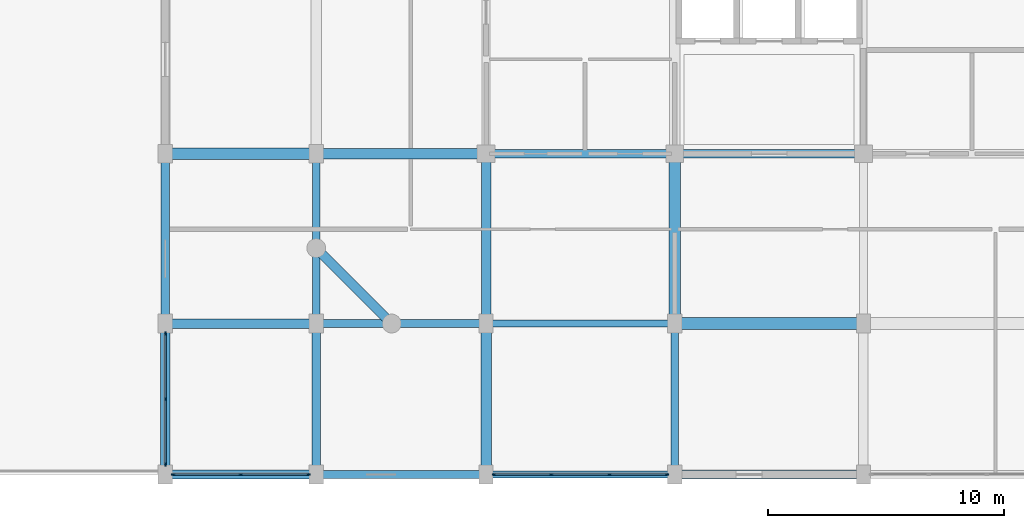
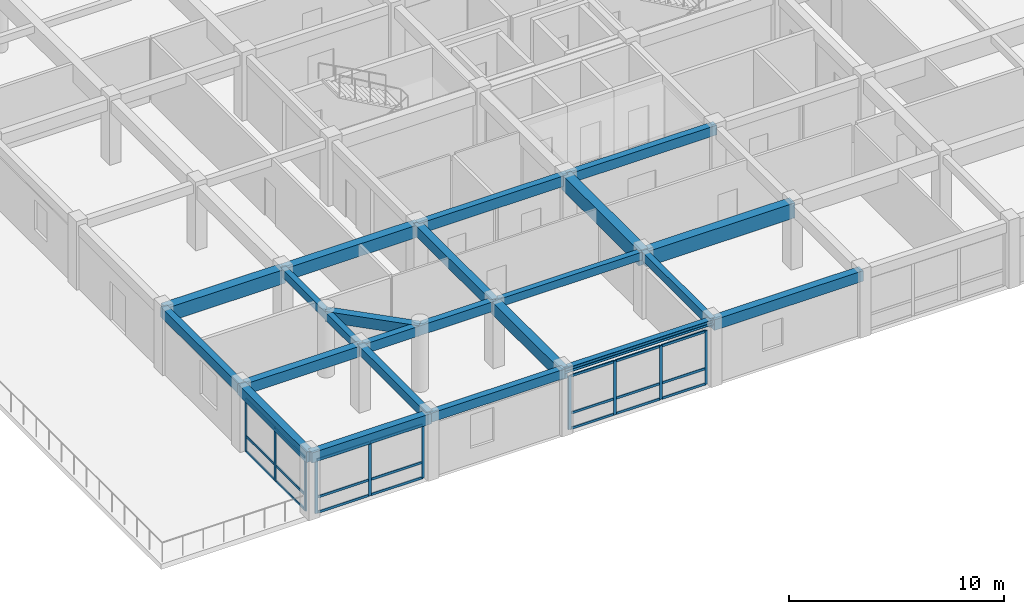
# One storey, part 2 of 14: 31 members, 21 beams, 3 elements without a shape of their own.
"""IFC4 building model written with IfcOpenShell, lengths in metres."""

from ifc_helpers import new_model, si_unit, direction, frame, origin, origin_2d, place, context, subcontext, project, spatial, rectangle, i_section, extrude, material, material_profile, profile_set, type_object, element, aggregate, save


model = new_model("IFC4")

# Units and contexts
model_context = context("Model", 3, precision=1e-05, world=origin(), true_north=direction((0.0, 1.0)))
body_context = subcontext(model_context, "Body", "Model", "MODEL_VIEW")
ifc_project = project(units=[si_unit("LENGTHUNIT", "METRE"), si_unit("AREAUNIT", "SQUARE_METRE"), si_unit("VOLUMEUNIT", "CUBIC_METRE"), si_unit("PLANEANGLEUNIT", "RADIAN"), si_unit("MASSUNIT", "GRAM", prefix="KILO")], contexts=[model_context])

# Site, building, storey
site_placement = place(None, origin())
site = spatial("IfcSite", under=ifc_project, at=site_placement, CompositionType="ELEMENT")
building_placement = place(site_placement, origin())
building = spatial("IfcBuilding", under=site, at=building_placement, Name="Vellmiral Cinema and Media Centre", CompositionType="ELEMENT")
storey_placement = place(building_placement, frame((0.0, 0.0, 27.800048828125)))
storey = spatial("IfcBuildingStorey", under=building, at=storey_placement, Name="L06", CompositionType="ELEMENT", Elevation=27.800048828125)

# Beams
ifc_material_1 = material(Name="Concrete C40/50", Category="concrete")
ifc_material_profile_1 = material_profile(ifc_material_1, rectangle(XDim=0.300048828125, YDim=0.449951171875, at=origin_2d()), Name="RC 300x450")
ifc_profile_set_1 = profile_set([ifc_material_profile_1], Name="Concrete C40/50")
beam_type_1 = type_object("IfcBeamType", Name="BM-RC-300x450", PredefinedType="BEAM", material=ifc_profile_set_1)
beam_1_placement = place(storey_placement, frame((124.0, 72.0, 3.409912109375), z_axis=(1.0, 0.0, 0.0), x_axis=(0.0, 1.0, 0.0)))
element("IfcBeam", 1, at=beam_1_placement, inside=storey, type_object=beam_type_1, Name="Grid Beam L06-X010", PredefinedType="BEAM", context=body_context, shape_type="SweptSolid", body=[
    extrude(rectangle(XDim=0.300048828125, YDim=0.449951171875, at=origin_2d()), origin(), (0.0, 0.0, 1.0), 8.0),
])
beam_2_placement = place(storey_placement, frame((116.800048828125, 72.0, 3.409912109375), z_axis=(0.0, 1.0, 0.0), x_axis=(-1.0, 0.0, 0.0)))
element("IfcBeam", 2, at=beam_2_placement, inside=storey, type_object=beam_type_1, Name="Grid Beam L06-Y056", PredefinedType="BEAM", context=body_context, shape_type="SweptSolid", body=[
    extrude(rectangle(XDim=0.300048828125, YDim=0.449951171875, at=origin_2d()), origin(), (0.0, 0.0, 1.0), 7.199951171875),
])
ifc_material_2 = material(Name="Concrete C40/50", Category="concrete")
ifc_material_profile_2 = material_profile(ifc_material_2, rectangle(XDim=0.300048828125, YDim=0.5, at=origin_2d()), Name="RC 300x500")
ifc_profile_set_2 = profile_set([ifc_material_profile_2], Name="Concrete C40/50")
beam_type_2 = type_object("IfcBeamType", Name="BM-RC-300x500", PredefinedType="BEAM", material=ifc_profile_set_2)
beam_3_placement = place(storey_placement, frame((132.0, 65.60009765625, 3.385009765625), z_axis=(0.0, 1.0, 0.0), x_axis=(-1.0, 0.0, 0.0)))
element("IfcBeam", 3, at=beam_3_placement, inside=storey, type_object=beam_type_2, Name="Grid Beam L06-Y067", PredefinedType="BEAM", context=body_context, shape_type="SweptSolid", body=[
    extrude(rectangle(XDim=0.300048828125, YDim=0.5, at=origin_2d()), origin(), (0.0, 0.0, 1.0), 6.39990234375),
])
ifc_material_3 = material(Name="Concrete C40/50", Category="concrete")
ifc_material_profile_3 = material_profile(ifc_material_3, rectangle(XDim=0.35009765625, YDim=0.5, at=origin_2d()), Name="RC 350x500")
ifc_profile_set_3 = profile_set([ifc_material_profile_3], Name="Concrete C40/50")
beam_type_3 = type_object("IfcBeamType", Name="BM-RC-350x500", PredefinedType="BEAM", material=ifc_profile_set_3)
beam_4_placement = place(storey_placement, frame((116.800048828125, 65.60009765625, 3.385009765625), z_axis=(0.0, 1.0, 0.0), x_axis=(-1.0, 0.0, 0.0)))
element("IfcBeam", 4, at=beam_4_placement, inside=storey, type_object=beam_type_3, Name="Grid Beam L06-Y055", PredefinedType="BEAM", context=body_context, shape_type="SweptSolid", body=[
    extrude(rectangle(XDim=0.35009765625, YDim=0.5, at=origin_2d()), origin(), (0.0, 0.0, 1.0), 6.39990234375),
])
ifc_material_4 = material(Name="Concrete C40/50", Category="concrete")
ifc_material_profile_4 = material_profile(ifc_material_4, rectangle(XDim=0.35009765625, YDim=0.550048828125, at=origin_2d()), Name="RC 350x550")
ifc_profile_set_4 = profile_set([ifc_material_profile_4], Name="Concrete C40/50")
beam_type_4 = type_object("IfcBeamType", Name="BM-RC-350x550", PredefinedType="BEAM", material=ifc_profile_set_4)
beam_5_placement = place(storey_placement, frame((116.800048828125, 72.0, 3.35986328125), z_axis=(1.0, 0.0, 0.0), x_axis=(0.0, 1.0, 0.0)))
element("IfcBeam", 5, at=beam_5_placement, inside=storey, type_object=beam_type_4, Name="Grid Beam L06-X009", PredefinedType="BEAM", context=body_context, shape_type="SweptSolid", body=[
    extrude(rectangle(XDim=0.35009765625, YDim=0.550048828125, at=origin_2d()), origin(), (0.0, 0.0, 1.0), 7.199951171875),
])
beam_6_placement = place(storey_placement, frame((132.0, 79.199951171875, 3.35986328125), z_axis=(1.0, 0.0, 0.0), x_axis=(0.0, 1.0, 0.0)))
element("IfcBeam", 6, at=beam_6_placement, inside=storey, type_object=beam_type_4, Name="Grid Beam L06-X018", PredefinedType="BEAM", context=body_context, shape_type="SweptSolid", body=[
    extrude(rectangle(XDim=0.35009765625, YDim=0.550048828125, at=origin_2d()), origin(), (0.0, 0.0, 1.0), 8.0),
])
ifc_material_5 = material(Name="Concrete C40/50", Category="concrete")
ifc_material_profile_5 = material_profile(ifc_material_5, rectangle(XDim=0.35009765625, YDim=0.60009765625, at=origin_2d()), Name="RC 350x600")
ifc_profile_set_5 = profile_set([ifc_material_profile_5], Name="Concrete C40/50")
beam_type_5 = type_object("IfcBeamType", Name="BM-RC-350x600", PredefinedType="BEAM", material=ifc_profile_set_5)
beam_7_placement = place(storey_placement, frame((124.0, 79.199951171875, 3.3349609375), z_axis=(1.0, 0.0, 0.0), x_axis=(0.0, 1.0, 0.0)))
element("IfcBeam", 7, at=beam_7_placement, inside=storey, type_object=beam_type_5, Name="Grid Beam L06-X017", PredefinedType="BEAM", context=body_context, shape_type="SweptSolid", body=[
    extrude(rectangle(XDim=0.35009765625, YDim=0.60009765625, at=origin_2d()), origin(), (0.0, 0.0, 1.0), 8.0),
])
ifc_material_6 = material(Name="Concrete C40/50", Category="concrete")
ifc_material_profile_6 = material_profile(ifc_material_6, rectangle(XDim=0.39990234375, YDim=0.60009765625, at=origin_2d()), Name="RC 400x600")
ifc_profile_set_6 = profile_set([ifc_material_profile_6], Name="Concrete C40/50")
beam_type_6 = type_object("IfcBeamType", Name="BM-RC-400x600", PredefinedType="BEAM", material=ifc_profile_set_6)
beam_8_placement = place(storey_placement, frame((110.39990234375, 72.0, 3.3349609375), z_axis=(1.0, 0.0, 0.0), x_axis=(0.0, 1.0, 0.0)))
element("IfcBeam", 8, at=beam_8_placement, inside=storey, type_object=beam_type_6, Name="Grid Beam L06-X008", PredefinedType="BEAM", context=body_context, shape_type="SweptSolid", body=[
    extrude(rectangle(XDim=0.39990234375, YDim=0.60009765625, at=origin_2d()), origin(), (0.0, 0.0, 1.0), 6.400146484375),
])
beam_9_placement = place(storey_placement, frame((124.0, 72.0, 3.3349609375), z_axis=(0.0, 1.0, 0.0), x_axis=(-1.0, 0.0, 0.0)))
element("IfcBeam", 9, at=beam_9_placement, inside=storey, type_object=beam_type_6, Name="Grid Beam L06-Y062", PredefinedType="BEAM", context=body_context, shape_type="SweptSolid", body=[
    extrude(rectangle(XDim=0.39990234375, YDim=0.60009765625, at=origin_2d()), origin(), (0.0, 0.0, 1.0), 7.199951171875),
])
ifc_material_7 = material(Name="Concrete C40/50", Category="concrete")
ifc_material_profile_7 = material_profile(ifc_material_7, rectangle(XDim=0.449951171875, YDim=0.699951171875, at=origin_2d()), Name="RC 450x700")
ifc_profile_set_7 = profile_set([ifc_material_profile_7], Name="Concrete C40/50")
beam_type_7 = type_object("IfcBeamType", Name="BM-RC-450x700", PredefinedType="BEAM", material=ifc_profile_set_7)
beam_10_placement = place(storey_placement, frame((116.800048828125, 79.199951171875, 3.284912109375), z_axis=(1.0, 0.0, 0.0), x_axis=(0.0, 1.0, 0.0)))
element("IfcBeam", 10, at=beam_10_placement, inside=storey, type_object=beam_type_7, Name="Grid Beam L06-X016", PredefinedType="BEAM", context=body_context, shape_type="SweptSolid", body=[
    extrude(rectangle(XDim=0.449951171875, YDim=0.699951171875, at=origin_2d()), origin(), (0.0, 0.0, 1.0), 7.199951171875),
])
beam_11_placement = place(storey_placement, frame((124.0, 65.60009765625, 3.284912109375), z_axis=(0.0, 1.0, 0.0), x_axis=(-1.0, 0.0, 0.0)))
element("IfcBeam", 11, at=beam_11_placement, inside=storey, type_object=beam_type_7, Name="Grid Beam L06-Y061", PredefinedType="BEAM", context=body_context, shape_type="SweptSolid", body=[
    extrude(rectangle(XDim=0.449951171875, YDim=0.699951171875, at=origin_2d()), origin(), (0.0, 0.0, 1.0), 6.39990234375),
])
ifc_material_8 = material(Name="Concrete C40/50", Category="concrete")
ifc_material_profile_8 = material_profile(ifc_material_8, rectangle(XDim=0.5, YDim=0.800048828125, at=origin_2d()), Name="RC 500x800")
ifc_profile_set_8 = profile_set([ifc_material_profile_8], Name="Concrete C40/50")
beam_type_8 = type_object("IfcBeamType", Name="BM-RC-500x800", PredefinedType="BEAM", material=ifc_profile_set_8)
beam_12_placement = place(storey_placement, frame((110.39990234375, 79.199951171875, 3.23486328125), z_axis=(1.0, 0.0, 0.0), x_axis=(0.0, 1.0, 0.0)))
element("IfcBeam", 12, at=beam_12_placement, inside=storey, type_object=beam_type_8, Name="Grid Beam L06-X015", PredefinedType="BEAM", context=body_context, shape_type="SweptSolid", body=[
    extrude(rectangle(XDim=0.5, YDim=0.800048828125, at=origin_2d()), origin(), (0.0, 0.0, 1.0), 6.400146484375),
])
ifc_material_9 = material(Name="Concrete C40/50", Category="concrete")
ifc_material_profile_9 = material_profile(ifc_material_9, rectangle(XDim=0.5, YDim=0.85009765625, at=origin_2d()), Name="RC 500x850")
ifc_profile_set_9 = profile_set([ifc_material_profile_9], Name="Concrete C40/50")
beam_type_9 = type_object("IfcBeamType", Name="BM-RC-500x850", PredefinedType="BEAM", material=ifc_profile_set_9)
beam_13_placement = place(storey_placement, frame((132.0, 72.0, 3.2099609375), z_axis=(1.0, 0.0, 0.0), x_axis=(0.0, 1.0, 0.0)))
element("IfcBeam", 13, at=beam_13_placement, inside=storey, type_object=beam_type_9, Name="Grid Beam L06-X011", PredefinedType="BEAM", context=body_context, shape_type="SweptSolid", body=[
    extrude(rectangle(XDim=0.5, YDim=0.85009765625, at=origin_2d()), origin(), (0.0, 0.0, 1.0), 8.0),
])
beam_14_placement = place(storey_placement, frame((132.0, 72.0, 3.2099609375), z_axis=(0.0, 1.0, 0.0), x_axis=(-1.0, 0.0, 0.0)))
element("IfcBeam", 14, at=beam_14_placement, inside=storey, type_object=beam_type_9, Name="Grid Beam L06-Y068", PredefinedType="BEAM", context=body_context, shape_type="SweptSolid", body=[
    extrude(rectangle(XDim=0.5, YDim=0.85009765625, at=origin_2d()), origin(), (0.0, 0.0, 1.0), 7.199951171875),
])

# Curtain wall, members
ifc_material_10 = material(Name="Thermally Broken Aluminium and Triple Glazing", Category="aluminium")
curtain_wall_type_1 = type_object("IfcCurtainWallType", Name="CW-TOWER-LOW-S", PredefinedType="USERDEFINED", material=ifc_material_10)
curtain_wall_1_placement = place(storey_placement, origin())
curtain_wall_1 = element("IfcCurtainWall", 15, at=curtain_wall_1_placement, inside=storey, type_object=curtain_wall_type_1, Name="Curtain Wall L06-B001", ObjectType="UNITISED CURTAIN WALL", PredefinedType="USERDEFINED")
ifc_material_11 = material(Name="Thermally Broken Anodised Aluminium", Category="aluminium")
ifc_material_profile_10 = material_profile(ifc_material_11, rectangle(XDim=0.06494140625, YDim=0.159912109375, at=origin_2d()), Name="MULL 65x160")
ifc_profile_set_10 = profile_set([ifc_material_profile_10], Name="Thermally Broken Anodised Aluminium")
member_type_1 = type_object("IfcMemberType", Name="CWM-65x160", PredefinedType="MULLION", material=ifc_profile_set_10)
member_1_placement = place(storey_placement, frame((110.732421875, 65.60009765625, 0.0), z_axis=(0.0, 0.0, 1.0), x_axis=(0.0, 1.0, 0.0)))
member_1 = element("IfcMember", 16, at=member_1_placement, type_object=member_type_1, Name="CW-06 mullion 1", PredefinedType="MULLION", context=body_context, shape_type="SweptSolid", body=[
    extrude(rectangle(XDim=0.06494140625, YDim=0.159912109375, at=origin_2d()), origin(), (0.0, 0.0, 1.0), 3.0400390625),
])
member_2_placement = place(storey_placement, frame((113.60009765625, 65.60009765625, 0.0), z_axis=(0.0, 0.0, 1.0), x_axis=(0.0, 1.0, 0.0)))
member_2 = element("IfcMember", 17, at=member_2_placement, type_object=member_type_1, Name="CW-06 mullion 2", PredefinedType="MULLION", context=body_context, shape_type="SweptSolid", body=[
    extrude(rectangle(XDim=0.06494140625, YDim=0.159912109375, at=origin_2d()), origin(), (0.0, 0.0, 1.0), 3.0400390625),
])
member_3_placement = place(storey_placement, frame((116.467529296875, 65.60009765625, 0.0), z_axis=(0.0, 0.0, 1.0), x_axis=(0.0, 1.0, 0.0)))
member_3 = element("IfcMember", 18, at=member_3_placement, type_object=member_type_1, Name="CW-06 mullion 3", PredefinedType="MULLION", context=body_context, shape_type="SweptSolid", body=[
    extrude(rectangle(XDim=0.06494140625, YDim=0.159912109375, at=origin_2d()), origin(), (0.0, 0.0, 1.0), 3.0400390625),
])

curtain_wall_2_placement = place(storey_placement, origin())
curtain_wall_2 = element("IfcCurtainWall", 19, at=curtain_wall_2_placement, inside=storey, type_object=curtain_wall_type_1, Name="Curtain Wall L06-B003", ObjectType="UNITISED CURTAIN WALL", PredefinedType="USERDEFINED")
member_4_placement = place(storey_placement, frame((124.33251953125, 65.60009765625, 0.0), z_axis=(0.0, 0.0, 1.0), x_axis=(0.0, 1.0, 0.0)))
member_4 = element("IfcMember", 20, at=member_4_placement, type_object=member_type_1, Name="CW-06 mullion 1", PredefinedType="MULLION", context=body_context, shape_type="SweptSolid", body=[
    extrude(rectangle(XDim=0.06494140625, YDim=0.159912109375, at=origin_2d()), origin(), (0.0, 0.0, 1.0), 3.0400390625),
])
member_5_placement = place(storey_placement, frame((126.7666015625, 65.60009765625, 0.0), z_axis=(0.0, 0.0, 1.0), x_axis=(0.0, 1.0, 0.0)))
member_5 = element("IfcMember", 21, at=member_5_placement, type_object=member_type_1, Name="CW-06 mullion 2", PredefinedType="MULLION", context=body_context, shape_type="SweptSolid", body=[
    extrude(rectangle(XDim=0.06494140625, YDim=0.159912109375, at=origin_2d()), origin(), (0.0, 0.0, 1.0), 3.0400390625),
])
member_6_placement = place(storey_placement, frame((129.2333984375, 65.60009765625, 0.0), z_axis=(0.0, 0.0, 1.0), x_axis=(0.0, 1.0, 0.0)))
member_6 = element("IfcMember", 22, at=member_6_placement, type_object=member_type_1, Name="CW-06 mullion 3", PredefinedType="MULLION", context=body_context, shape_type="SweptSolid", body=[
    extrude(rectangle(XDim=0.06494140625, YDim=0.159912109375, at=origin_2d()), origin(), (0.0, 0.0, 1.0), 3.0400390625),
])
member_7_placement = place(storey_placement, frame((131.66748046875, 65.60009765625, 0.0), z_axis=(0.0, 0.0, 1.0), x_axis=(0.0, 1.0, 0.0)))
member_7 = element("IfcMember", 23, at=member_7_placement, type_object=member_type_1, Name="CW-06 mullion 4", PredefinedType="MULLION", context=body_context, shape_type="SweptSolid", body=[
    extrude(rectangle(XDim=0.06494140625, YDim=0.159912109375, at=origin_2d()), origin(), (0.0, 0.0, 1.0), 3.0400390625),
])

ifc_material_12 = material(Name="Thermally Broken Aluminium and Triple Glazing", Category="aluminium")
curtain_wall_type_2 = type_object("IfcCurtainWallType", Name="CW-TOWER-LOW-N", PredefinedType="USERDEFINED", material=ifc_material_12)
curtain_wall_3_placement = place(storey_placement, origin())
curtain_wall_3 = element("IfcCurtainWall", 24, at=curtain_wall_3_placement, inside=storey, type_object=curtain_wall_type_2, Name="Curtain Wall L06-B029", ObjectType="UNITISED CURTAIN WALL", PredefinedType="USERDEFINED")
member_8_placement = place(storey_placement, frame((110.39990234375, 71.5673828125, 0.0), z_axis=(0.0, 0.0, 1.0), x_axis=(1.0, 0.0, 0.0)))
member_8 = element("IfcMember", 25, at=member_8_placement, type_object=member_type_1, Name="CW-05 mullion 1", PredefinedType="MULLION", context=body_context, shape_type="SweptSolid", body=[
    extrude(rectangle(XDim=0.06494140625, YDim=0.159912109375, at=origin_2d()), origin(), (0.0, 0.0, 1.0), 3.02490234375),
])
member_9_placement = place(storey_placement, frame((110.39990234375, 68.800048828125, 0.0), z_axis=(0.0, 0.0, 1.0), x_axis=(1.0, 0.0, 0.0)))
member_9 = element("IfcMember", 26, at=member_9_placement, type_object=member_type_1, Name="CW-05 mullion 2", PredefinedType="MULLION", context=body_context, shape_type="SweptSolid", body=[
    extrude(rectangle(XDim=0.06494140625, YDim=0.159912109375, at=origin_2d()), origin(), (0.0, 0.0, 1.0), 3.02490234375),
])
member_10_placement = place(storey_placement, frame((110.39990234375, 66.032470703125, 0.0), z_axis=(0.0, 0.0, 1.0), x_axis=(1.0, 0.0, 0.0)))
member_10 = element("IfcMember", 27, at=member_10_placement, type_object=member_type_1, Name="CW-05 mullion 3", PredefinedType="MULLION", context=body_context, shape_type="SweptSolid", body=[
    extrude(rectangle(XDim=0.06494140625, YDim=0.159912109375, at=origin_2d()), origin(), (0.0, 0.0, 1.0), 3.02490234375),
])

# Member
ifc_material_13 = material(Name="Thermally Broken Anodised Aluminium", Category="aluminium")
ifc_material_profile_11 = material_profile(ifc_material_13, rectangle(XDim=0.06494140625, YDim=0.135009765625, at=origin_2d()), Name="MULL 65x135")
ifc_profile_set_11 = profile_set([ifc_material_profile_11], Name="Thermally Broken Anodised Aluminium")
member_type_2 = type_object("IfcMemberType", Name="CWT-65x135", PredefinedType="USERDEFINED", material=ifc_profile_set_11)
member_11_placement = place(storey_placement, frame((110.764892578125, 65.60009765625, 0.032470703125), z_axis=(1.0, 0.0, 0.0), x_axis=(0.0, 1.0, 0.0)))
member_11 = element("IfcMember", 28, at=member_11_placement, type_object=member_type_2, Name="CW-06 transom 1.1", ObjectType="TRANSOM", PredefinedType="USERDEFINED", context=body_context, shape_type="SweptSolid", body=[
    extrude(rectangle(XDim=0.06494140625, YDim=0.135009765625, at=origin_2d()), origin(), (0.0, 0.0, 1.0), 2.802490234375),
])

member_12_placement = place(storey_placement, frame((110.764892578125, 65.60009765625, 0.89990234375), z_axis=(1.0, 0.0, 0.0), x_axis=(0.0, 1.0, 0.0)))
member_12 = element("IfcMember", 29, at=member_12_placement, type_object=member_type_2, Name="CW-06 transom 1.2", ObjectType="TRANSOM", PredefinedType="USERDEFINED", context=body_context, shape_type="SweptSolid", body=[
    extrude(rectangle(XDim=0.06494140625, YDim=0.135009765625, at=origin_2d()), origin(), (0.0, 0.0, 1.0), 2.802490234375),
])

member_13_placement = place(storey_placement, frame((110.764892578125, 65.60009765625, 3.007568359375), z_axis=(1.0, 0.0, 0.0), x_axis=(0.0, 1.0, 0.0)))
member_13 = element("IfcMember", 30, at=member_13_placement, type_object=member_type_2, Name="CW-06 transom 1.3", ObjectType="TRANSOM", PredefinedType="USERDEFINED", context=body_context, shape_type="SweptSolid", body=[
    extrude(rectangle(XDim=0.06494140625, YDim=0.135009765625, at=origin_2d()), origin(), (0.0, 0.0, 1.0), 2.802490234375),
])

member_14_placement = place(storey_placement, frame((113.632568359375, 65.60009765625, 0.032470703125), z_axis=(1.0, 0.0, 0.0), x_axis=(0.0, 1.0, 0.0)))
member_14 = element("IfcMember", 31, at=member_14_placement, type_object=member_type_2, Name="CW-06 transom 2.1", ObjectType="TRANSOM", PredefinedType="USERDEFINED", context=body_context, shape_type="SweptSolid", body=[
    extrude(rectangle(XDim=0.06494140625, YDim=0.135009765625, at=origin_2d()), origin(), (0.0, 0.0, 1.0), 2.802490234375),
])

member_15_placement = place(storey_placement, frame((113.632568359375, 65.60009765625, 0.89990234375), z_axis=(1.0, 0.0, 0.0), x_axis=(0.0, 1.0, 0.0)))
member_15 = element("IfcMember", 32, at=member_15_placement, type_object=member_type_2, Name="CW-06 transom 2.2", ObjectType="TRANSOM", PredefinedType="USERDEFINED", context=body_context, shape_type="SweptSolid", body=[
    extrude(rectangle(XDim=0.06494140625, YDim=0.135009765625, at=origin_2d()), origin(), (0.0, 0.0, 1.0), 2.802490234375),
])

member_16_placement = place(storey_placement, frame((113.632568359375, 65.60009765625, 3.007568359375), z_axis=(1.0, 0.0, 0.0), x_axis=(0.0, 1.0, 0.0)))
member_16 = element("IfcMember", 33, at=member_16_placement, type_object=member_type_2, Name="CW-06 transom 2.3", ObjectType="TRANSOM", PredefinedType="USERDEFINED", context=body_context, shape_type="SweptSolid", body=[
    extrude(rectangle(XDim=0.06494140625, YDim=0.135009765625, at=origin_2d()), origin(), (0.0, 0.0, 1.0), 2.802490234375),
])

aggregate(curtain_wall_1, [member_1, member_2, member_3, member_11, member_12, member_13, member_14, member_15, member_16])

member_17_placement = place(storey_placement, frame((124.364990234375, 65.60009765625, 0.032470703125), z_axis=(1.0, 0.0, 0.0), x_axis=(0.0, 1.0, 0.0)))
member_17 = element("IfcMember", 34, at=member_17_placement, type_object=member_type_2, Name="CW-06 transom 1.1", ObjectType="TRANSOM", PredefinedType="USERDEFINED", context=body_context, shape_type="SweptSolid", body=[
    extrude(rectangle(XDim=0.06494140625, YDim=0.135009765625, at=origin_2d()), origin(), (0.0, 0.0, 1.0), 2.369140625),
])

member_18_placement = place(storey_placement, frame((124.364990234375, 65.60009765625, 0.89990234375), z_axis=(1.0, 0.0, 0.0), x_axis=(0.0, 1.0, 0.0)))
member_18 = element("IfcMember", 35, at=member_18_placement, type_object=member_type_2, Name="CW-06 transom 1.2", ObjectType="TRANSOM", PredefinedType="USERDEFINED", context=body_context, shape_type="SweptSolid", body=[
    extrude(rectangle(XDim=0.06494140625, YDim=0.135009765625, at=origin_2d()), origin(), (0.0, 0.0, 1.0), 2.369140625),
])

member_19_placement = place(storey_placement, frame((124.364990234375, 65.60009765625, 3.007568359375), z_axis=(1.0, 0.0, 0.0), x_axis=(0.0, 1.0, 0.0)))
member_19 = element("IfcMember", 36, at=member_19_placement, type_object=member_type_2, Name="CW-06 transom 1.3", ObjectType="TRANSOM", PredefinedType="USERDEFINED", context=body_context, shape_type="SweptSolid", body=[
    extrude(rectangle(XDim=0.06494140625, YDim=0.135009765625, at=origin_2d()), origin(), (0.0, 0.0, 1.0), 2.369140625),
])

member_20_placement = place(storey_placement, frame((126.799072265625, 65.60009765625, 0.032470703125), z_axis=(1.0, 0.0, 0.0), x_axis=(0.0, 1.0, 0.0)))
member_20 = element("IfcMember", 37, at=member_20_placement, type_object=member_type_2, Name="CW-06 transom 2.1", ObjectType="TRANSOM", PredefinedType="USERDEFINED", context=body_context, shape_type="SweptSolid", body=[
    extrude(rectangle(XDim=0.06494140625, YDim=0.135009765625, at=origin_2d()), origin(), (0.0, 0.0, 1.0), 2.40185546875),
])

member_21_placement = place(storey_placement, frame((126.799072265625, 65.60009765625, 0.89990234375), z_axis=(1.0, 0.0, 0.0), x_axis=(0.0, 1.0, 0.0)))
member_21 = element("IfcMember", 38, at=member_21_placement, type_object=member_type_2, Name="CW-06 transom 2.2", ObjectType="TRANSOM", PredefinedType="USERDEFINED", context=body_context, shape_type="SweptSolid", body=[
    extrude(rectangle(XDim=0.06494140625, YDim=0.135009765625, at=origin_2d()), origin(), (0.0, 0.0, 1.0), 2.40185546875),
])

member_22_placement = place(storey_placement, frame((126.799072265625, 65.60009765625, 3.007568359375), z_axis=(1.0, 0.0, 0.0), x_axis=(0.0, 1.0, 0.0)))
member_22 = element("IfcMember", 39, at=member_22_placement, type_object=member_type_2, Name="CW-06 transom 2.3", ObjectType="TRANSOM", PredefinedType="USERDEFINED", context=body_context, shape_type="SweptSolid", body=[
    extrude(rectangle(XDim=0.06494140625, YDim=0.135009765625, at=origin_2d()), origin(), (0.0, 0.0, 1.0), 2.40185546875),
])

member_23_placement = place(storey_placement, frame((129.265869140625, 65.60009765625, 0.032470703125), z_axis=(1.0, 0.0, 0.0), x_axis=(0.0, 1.0, 0.0)))
member_23 = element("IfcMember", 40, at=member_23_placement, type_object=member_type_2, Name="CW-06 transom 3.1", ObjectType="TRANSOM", PredefinedType="USERDEFINED", context=body_context, shape_type="SweptSolid", body=[
    extrude(rectangle(XDim=0.06494140625, YDim=0.135009765625, at=origin_2d()), origin(), (0.0, 0.0, 1.0), 2.369140625),
])

member_24_placement = place(storey_placement, frame((129.265869140625, 65.60009765625, 0.89990234375), z_axis=(1.0, 0.0, 0.0), x_axis=(0.0, 1.0, 0.0)))
member_24 = element("IfcMember", 41, at=member_24_placement, type_object=member_type_2, Name="CW-06 transom 3.2", ObjectType="TRANSOM", PredefinedType="USERDEFINED", context=body_context, shape_type="SweptSolid", body=[
    extrude(rectangle(XDim=0.06494140625, YDim=0.135009765625, at=origin_2d()), origin(), (0.0, 0.0, 1.0), 2.369140625),
])

member_25_placement = place(storey_placement, frame((129.265869140625, 65.60009765625, 3.007568359375), z_axis=(1.0, 0.0, 0.0), x_axis=(0.0, 1.0, 0.0)))
member_25 = element("IfcMember", 42, at=member_25_placement, type_object=member_type_2, Name="CW-06 transom 3.3", ObjectType="TRANSOM", PredefinedType="USERDEFINED", context=body_context, shape_type="SweptSolid", body=[
    extrude(rectangle(XDim=0.06494140625, YDim=0.135009765625, at=origin_2d()), origin(), (0.0, 0.0, 1.0), 2.369140625),
])

aggregate(curtain_wall_2, [member_4, member_5, member_6, member_7, member_17, member_18, member_19, member_20, member_21, member_22, member_23, member_24, member_25])

member_26_placement = place(storey_placement, frame((110.39990234375, 71.534912109375, 0.032470703125), z_axis=(0.0, -1.0, 0.0), x_axis=(1.0, 0.0, 0.0)))
member_26 = element("IfcMember", 43, at=member_26_placement, type_object=member_type_2, Name="CW-05 transom 1.1", ObjectType="TRANSOM", PredefinedType="USERDEFINED", context=body_context, shape_type="SweptSolid", body=[
    extrude(rectangle(XDim=0.06494140625, YDim=0.135009765625, at=origin_2d()), origin(), (0.0, 0.0, 1.0), 2.702392578125),
])

member_27_placement = place(storey_placement, frame((110.39990234375, 71.534912109375, 0.89990234375), z_axis=(0.0, -1.0, 0.0), x_axis=(1.0, 0.0, 0.0)))
member_27 = element("IfcMember", 44, at=member_27_placement, type_object=member_type_2, Name="CW-05 transom 1.2", ObjectType="TRANSOM", PredefinedType="USERDEFINED", context=body_context, shape_type="SweptSolid", body=[
    extrude(rectangle(XDim=0.06494140625, YDim=0.135009765625, at=origin_2d()), origin(), (0.0, 0.0, 1.0), 2.702392578125),
])

member_28_placement = place(storey_placement, frame((110.39990234375, 71.534912109375, 2.992431640625), z_axis=(0.0, -1.0, 0.0), x_axis=(1.0, 0.0, 0.0)))
member_28 = element("IfcMember", 45, at=member_28_placement, type_object=member_type_2, Name="CW-05 transom 1.3", ObjectType="TRANSOM", PredefinedType="USERDEFINED", context=body_context, shape_type="SweptSolid", body=[
    extrude(rectangle(XDim=0.06494140625, YDim=0.135009765625, at=origin_2d()), origin(), (0.0, 0.0, 1.0), 2.702392578125),
])

member_29_placement = place(storey_placement, frame((110.39990234375, 68.767578125, 0.032470703125), z_axis=(0.0, -1.0, 0.0), x_axis=(1.0, 0.0, 0.0)))
member_29 = element("IfcMember", 46, at=member_29_placement, type_object=member_type_2, Name="CW-05 transom 2.1", ObjectType="TRANSOM", PredefinedType="USERDEFINED", context=body_context, shape_type="SweptSolid", body=[
    extrude(rectangle(XDim=0.06494140625, YDim=0.135009765625, at=origin_2d()), origin(), (0.0, 0.0, 1.0), 2.70263671875),
])

member_30_placement = place(storey_placement, frame((110.39990234375, 68.767578125, 0.89990234375), z_axis=(0.0, -1.0, 0.0), x_axis=(1.0, 0.0, 0.0)))
member_30 = element("IfcMember", 47, at=member_30_placement, type_object=member_type_2, Name="CW-05 transom 2.2", ObjectType="TRANSOM", PredefinedType="USERDEFINED", context=body_context, shape_type="SweptSolid", body=[
    extrude(rectangle(XDim=0.06494140625, YDim=0.135009765625, at=origin_2d()), origin(), (0.0, 0.0, 1.0), 2.70263671875),
])

member_31_placement = place(storey_placement, frame((110.39990234375, 68.767578125, 2.992431640625), z_axis=(0.0, -1.0, 0.0), x_axis=(1.0, 0.0, 0.0)))
member_31 = element("IfcMember", 48, at=member_31_placement, type_object=member_type_2, Name="CW-05 transom 2.3", ObjectType="TRANSOM", PredefinedType="USERDEFINED", context=body_context, shape_type="SweptSolid", body=[
    extrude(rectangle(XDim=0.06494140625, YDim=0.135009765625, at=origin_2d()), origin(), (0.0, 0.0, 1.0), 2.70263671875),
])

aggregate(curtain_wall_3, [member_8, member_9, member_10, member_26, member_27, member_28, member_29, member_30, member_31])

# Beams
ifc_material_14 = material(Name="Steel S355", Category="steel")
ifc_material_profile_12 = material_profile(ifc_material_14, i_section(OverallWidth=0.300048828125, OverallDepth=0.300048828125, WebThickness=0.010986328125, FlangeThickness=0.01904296875, FilletRadius=0.027099609375, at=origin_2d()), Name="HEB 300")
ifc_profile_set_12 = profile_set([ifc_material_profile_12], Name="Steel S355")
beam_type_10 = type_object("IfcBeamType", Name="SBM-HEB300", PredefinedType="SPANDREL", material=ifc_profile_set_12)
beam_15_placement = place(storey_placement, frame((124.0, 65.60009765625, 3.48486328125), z_axis=(1.0, 0.0, 0.0), x_axis=(0.0, 1.0, 0.0)))
element("IfcBeam", 49, at=beam_15_placement, inside=storey, type_object=beam_type_10, Name="Grid Beam L06-X003", PredefinedType="SPANDREL", context=body_context, shape_type="SweptSolid", body=[
    extrude(i_section(OverallWidth=0.300048828125, OverallDepth=0.300048828125, WebThickness=0.010986328125, FlangeThickness=0.01904296875, FilletRadius=0.027099609375, at=origin_2d()), origin(), (0.0, 0.0, 1.0), 8.0),
])
ifc_material_15 = material(Name="Concrete C40/50", Category="concrete")
ifc_material_profile_13 = material_profile(ifc_material_15, rectangle(XDim=0.35009765625, YDim=0.56005859375, at=origin_2d()), Name="RC 350x560")
ifc_profile_set_13 = profile_set([ifc_material_profile_13], Name="Concrete C40/50")
beam_type_11 = type_object("IfcBeamType", Name="SPD-RC-350x560", PredefinedType="SPANDREL", material=ifc_profile_set_13)
beam_16_placement = place(storey_placement, frame((110.39990234375, 72.0, 3.35498046875), z_axis=(0.0, 1.0, 0.0), x_axis=(-1.0, 0.0, 0.0)))
element("IfcBeam", 50, at=beam_16_placement, inside=storey, type_object=beam_type_11, Name="Grid Beam L06-Y050", PredefinedType="SPANDREL", context=body_context, shape_type="SweptSolid", body=[
    extrude(rectangle(XDim=0.35009765625, YDim=0.56005859375, at=origin_2d()), origin(), (0.0, 0.0, 1.0), 7.199951171875),
])
ifc_material_16 = material(Name="Concrete C40/50", Category="concrete")
ifc_material_profile_14 = material_profile(ifc_material_16, rectangle(XDim=0.39990234375, YDim=0.60009765625, at=origin_2d()), Name="RC 400x600")
ifc_profile_set_14 = profile_set([ifc_material_profile_14], Name="Concrete C40/50")
beam_type_12 = type_object("IfcBeamType", Name="SPD-RC-400x600", PredefinedType="SPANDREL", material=ifc_profile_set_14)
beam_17_placement = place(storey_placement, frame((132.0, 65.60009765625, 3.3349609375), z_axis=(1.0, 0.0, 0.0), x_axis=(0.0, 1.0, 0.0)))
element("IfcBeam", 51, at=beam_17_placement, inside=storey, type_object=beam_type_12, Name="Grid Beam L06-X004", PredefinedType="SPANDREL", context=body_context, shape_type="SweptSolid", body=[
    extrude(rectangle(XDim=0.39990234375, YDim=0.60009765625, at=origin_2d()), origin(), (0.0, 0.0, 1.0), 8.0),
])
beam_18_placement = place(storey_placement, frame((110.39990234375, 65.60009765625, 3.3349609375), z_axis=(0.0, 1.0, 0.0), x_axis=(-1.0, 0.0, 0.0)))
element("IfcBeam", 52, at=beam_18_placement, inside=storey, type_object=beam_type_12, Name="Grid Beam L06-Y049", PredefinedType="SPANDREL", context=body_context, shape_type="SweptSolid", body=[
    extrude(rectangle(XDim=0.39990234375, YDim=0.60009765625, at=origin_2d()), origin(), (0.0, 0.0, 1.0), 6.39990234375),
])
beam_19_placement = place(storey_placement, frame((116.800048828125, 75.199951171875, 3.3349609375), z_axis=(0.707106781187, -0.707106781187, 0.0), x_axis=(0.707106781187, 0.707106781187, 0.0)))
element("IfcBeam", 53, at=beam_19_placement, inside=storey, type_object=beam_type_12, Name="Xamfra Chamfer Spandrel Beam L06-096", PredefinedType="SPANDREL", context=body_context, shape_type="SweptSolid", body=[
    extrude(rectangle(XDim=0.39990234375, YDim=0.60009765625, at=origin_2d()), origin(), (0.0, 0.0, 1.0), 4.525390625),
])
ifc_material_17 = material(Name="Vosges Red Sandstone Masonry", Category="masonry")
ifc_material_profile_15 = material_profile(ifc_material_17, rectangle(XDim=0.340087890625, YDim=0.52001953125, at=origin_2d()), Name="SAND 340x520")
ifc_profile_set_15 = profile_set([ifc_material_profile_15], Name="Vosges Red Sandstone Masonry")
beam_type_13 = type_object("IfcBeamType", Name="SPD-SAND-340x520", PredefinedType="SPANDREL", material=ifc_profile_set_15)
beam_20_placement = place(storey_placement, frame((116.800048828125, 65.60009765625, 3.375), z_axis=(1.0, 0.0, 0.0), x_axis=(0.0, 1.0, 0.0)))
element("IfcBeam", 54, at=beam_20_placement, inside=storey, type_object=beam_type_13, Name="Grid Beam L06-X002", PredefinedType="SPANDREL", context=body_context, shape_type="SweptSolid", body=[
    extrude(rectangle(XDim=0.340087890625, YDim=0.52001953125, at=origin_2d()), origin(), (0.0, 0.0, 1.0), 7.199951171875),
])
ifc_material_18 = material(Name="Vosges Red Sandstone Masonry", Category="masonry")
ifc_material_profile_16 = material_profile(ifc_material_18, rectangle(XDim=0.3798828125, YDim=0.580078125, at=origin_2d()), Name="SAND 380x580")
ifc_profile_set_16 = profile_set([ifc_material_profile_16], Name="Vosges Red Sandstone Masonry")
beam_type_14 = type_object("IfcBeamType", Name="SPD-SAND-380x580", PredefinedType="SPANDREL", material=ifc_profile_set_16)
beam_21_placement = place(storey_placement, frame((110.39990234375, 65.60009765625, 3.344970703125), z_axis=(1.0, 0.0, 0.0), x_axis=(0.0, 1.0, 0.0)))
element("IfcBeam", 55, at=beam_21_placement, inside=storey, type_object=beam_type_14, Name="Grid Beam L06-X001", PredefinedType="SPANDREL", context=body_context, shape_type="SweptSolid", body=[
    extrude(rectangle(XDim=0.3798828125, YDim=0.580078125, at=origin_2d()), origin(), (0.0, 0.0, 1.0), 6.400146484375),
])

save(model, "model.ifc")
